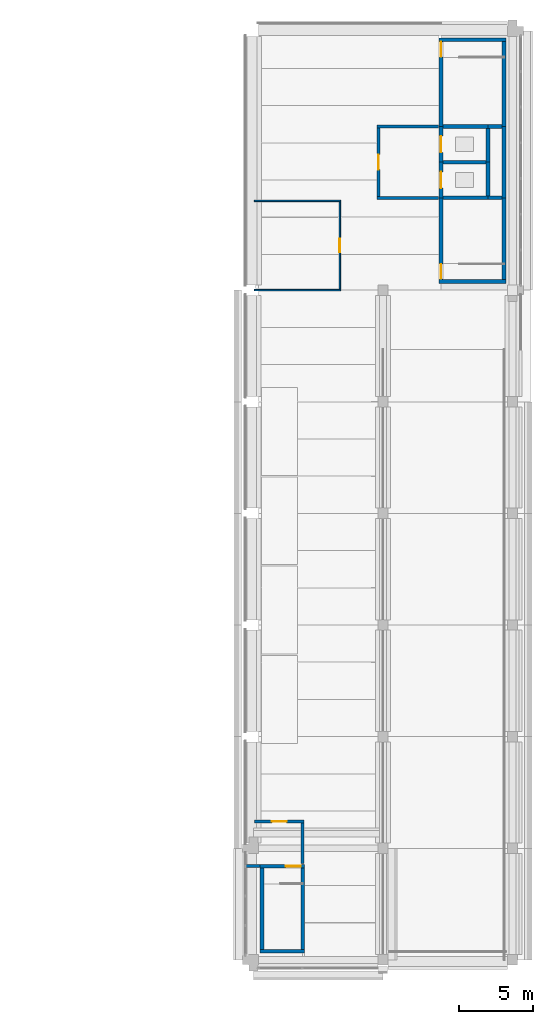
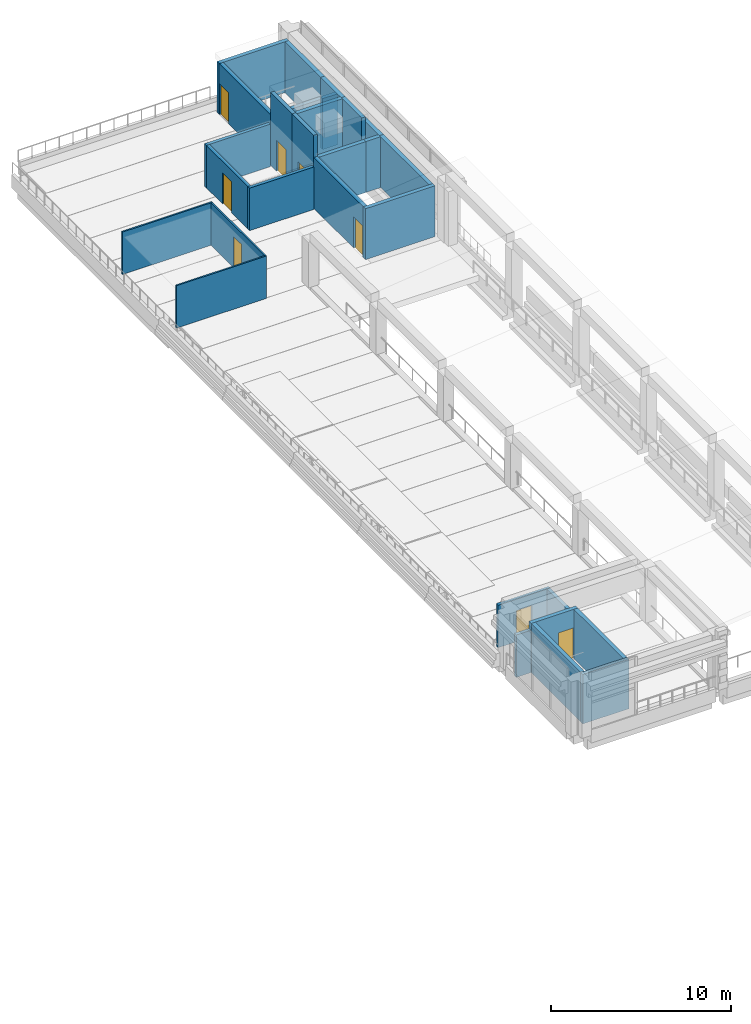
# One storey, part 10 of 17: 29 walls, 8 doors, 8 openings.
"""IFC4 building model written with IfcOpenShell, lengths in metres."""

from ifc_helpers import new_model, si_unit, direction, frame, frame_2d, origin, place, context, subcontext, project, spatial, rectangle, extrude, material, layer, layer_set, type_object, element, fill, save


model = new_model("IFC4")

# Units and contexts
model_context = context("Model", 3, precision=1e-05, world=origin(), true_north=direction((0.0, 1.0)))
body_context = subcontext(model_context, "Body", "Model", "MODEL_VIEW")
ifc_project = project(units=[si_unit("LENGTHUNIT", "METRE"), si_unit("AREAUNIT", "SQUARE_METRE"), si_unit("VOLUMEUNIT", "CUBIC_METRE"), si_unit("PLANEANGLEUNIT", "RADIAN"), si_unit("MASSUNIT", "GRAM", prefix="KILO")], contexts=[model_context])

# Site, building, storey
site_placement = place(None, origin())
site = spatial("IfcSite", under=ifc_project, at=site_placement, CompositionType="ELEMENT")
building_placement = place(site_placement, origin())
building = spatial("IfcBuilding", under=site, at=building_placement, Name="Cour d'Honneur Mobility Palace", CompositionType="ELEMENT")
storey_placement = place(building_placement, frame((0.0, 0.0, 34.10009765625)))
storey = spatial("IfcBuildingStorey", under=building, at=storey_placement, Name="L09", CompositionType="ELEMENT", Elevation=34.10009765625)

# Wall
ifc_material_1 = material(Name="Concrete C50", Category="concrete")
ifc_layer_1 = layer(ifc_material_1, 0.25)
ifc_layer_set_1 = layer_set([ifc_layer_1], Name="Concrete C50")
wall_type_1 = type_object("IfcWallType", Name="Lift shaft wall 250", PredefinedType="SHEAR", material=ifc_layer_set_1)
wall_1_placement = place(storey_placement, frame((157.625, 53.60009765625, 0.0), z_axis=(0.0, 0.0, 1.0), x_axis=(1.0, 0.0, 0.0)))
element("IfcWall", 1, at=wall_1_placement, inside=storey, type_object=wall_type_1, Name="Lift shaft wall WL-CE4 L09", PredefinedType="SHEAR", context=body_context, shape_type="SweptSolid", body=[
    extrude(rectangle(XDim=2.89990234375, YDim=0.25, at=frame_2d((1.449951171875, 0.0))), origin(), (0.0, 0.0, 1.0), 4.949951171875),
])

# Wall, opening, door
wall_2_placement = place(storey_placement, frame((157.5, 51.199951171875, 0.0), z_axis=(0.0, 0.0, 1.0), x_axis=(0.0, 1.0, 0.0)))
wall_2 = element("IfcWall", 2, at=wall_2_placement, inside=storey, type_object=wall_type_1, Name="Lift shaft wall WL-CE9 L09", PredefinedType="SHEAR", context=body_context, shape_type="SweptSolid", body=[
    extrude(rectangle(XDim=2.400146484375, YDim=0.25, at=frame_2d((1.2001953125, 0.0))), origin(), (0.0, 0.0, 1.0), 4.949951171875),
])
opening_1_placement = place(wall_2_placement, frame((0.64990234375, 0.0, 0.0)))
opening_1 = element("IfcOpeningElement", 3, at=opening_1_placement, cuts=wall_2, Name="Opening LD30", PredefinedType="OPENING", context=body_context, shape_type="SweptSolid", body=[
    extrude(rectangle(XDim=1.10009765625, YDim=2.10009765625, at=frame_2d((0.550048828125, 1.050048828125))), frame((0.0, 0.135009765625, 0.0), z_axis=(0.0, -1.0, 0.0), x_axis=(1.0, 0.0, 0.0)), (0.0, 0.0, 1.0), 0.27001953125),
])
ifc_material_2 = material(Name="Stainless steel", Category="steel")
door_type_1 = type_object("IfcDoorType", Name="Landing door 1100 x 2100", OperationType="SLIDING_TO_LEFT", PredefinedType="DOOR", material=ifc_material_2)
door_1_placement = place(opening_1_placement, origin())
door_1 = element("IfcDoor", 4, at=door_1_placement, inside=storey, type_object=door_type_1, Name="Landing door LF-CE1 L09", OperationType="SLIDING_TO_LEFT", OverallHeight=2.10009765625, OverallWidth=1.10009765625, PredefinedType="DOOR", context=body_context, shape_type="SweptSolid", body=[
    extrude(rectangle(XDim=1.10009765625, YDim=2.10009765625, at=frame_2d((0.550048828125, 1.050048828125))), frame((0.0, 0.02490234375, 0.0), z_axis=(0.0, -1.0, 0.0), x_axis=(1.0, 0.0, 0.0)), (0.0, 0.0, 1.0), 0.050048828125),
])
fill(opening_1, door_1)

wall_3_placement = place(storey_placement, frame((157.5, 53.60009765625, 0.0), z_axis=(0.0, 0.0, 1.0), x_axis=(0.0, 1.0, 0.0)))
wall_3 = element("IfcWall", 5, at=wall_3_placement, inside=storey, type_object=wall_type_1, Name="Lift shaft wall WL-CE10 L09", PredefinedType="SHEAR", context=body_context, shape_type="SweptSolid", body=[
    extrude(rectangle(XDim=2.39990234375, YDim=0.25, at=frame_2d((1.199951171875, 0.0))), origin(), (0.0, 0.0, 1.0), 4.949951171875),
])
opening_2_placement = place(wall_3_placement, frame((0.64990234375, 0.0, 0.0)))
opening_2 = element("IfcOpeningElement", 6, at=opening_2_placement, cuts=wall_3, Name="Opening LD40", PredefinedType="OPENING", context=body_context, shape_type="SweptSolid", body=[
    extrude(rectangle(XDim=1.10009765625, YDim=2.10009765625, at=frame_2d((0.550048828125, 1.050048828125))), frame((0.0, 0.135009765625, 0.0), z_axis=(0.0, -1.0, 0.0), x_axis=(1.0, 0.0, 0.0)), (0.0, 0.0, 1.0), 0.27001953125),
])
door_2_placement = place(opening_2_placement, origin())
door_2 = element("IfcDoor", 7, at=door_2_placement, inside=storey, type_object=door_type_1, Name="Landing door LF-CE2 L09", OperationType="SLIDING_TO_LEFT", OverallHeight=2.10009765625, OverallWidth=1.10009765625, PredefinedType="DOOR", context=body_context, shape_type="SweptSolid", body=[
    extrude(rectangle(XDim=1.10009765625, YDim=2.10009765625, at=frame_2d((0.550048828125, 1.050048828125))), frame((0.0, 0.02490234375, 0.0), z_axis=(0.0, -1.0, 0.0), x_axis=(1.0, 0.0, 0.0)), (0.0, 0.0, 1.0), 0.050048828125),
])
fill(opening_2, door_2)

# Walls
wall_4_placement = place(storey_placement, frame((160.64990234375, 51.324951171875, 0.0), z_axis=(0.0, 0.0, 1.0), x_axis=(0.0, 1.0, 0.0)))
element("IfcWall", 8, at=wall_4_placement, inside=storey, type_object=wall_type_1, Name="Lift shaft wall WL-CE12 L09", PredefinedType="SHEAR", context=body_context, shape_type="SweptSolid", body=[
    extrude(rectangle(XDim=2.275146484375, YDim=0.25, at=frame_2d((1.1376953125, 0.0))), origin(), (0.0, 0.0, 1.0), 4.949951171875),
])
wall_5_placement = place(storey_placement, frame((160.64990234375, 53.60009765625, 0.0), z_axis=(0.0, 0.0, 1.0), x_axis=(0.0, 1.0, 0.0)))
element("IfcWall", 9, at=wall_5_placement, inside=storey, type_object=wall_type_1, Name="Lift shaft wall WL-CE13 L09", PredefinedType="SHEAR", context=body_context, shape_type="SweptSolid", body=[
    extrude(rectangle(XDim=2.27490234375, YDim=0.25, at=frame_2d((1.137451171875, 0.0))), origin(), (0.0, 0.0, 1.0), 4.949951171875),
])
ifc_material_3 = material(Name="Gypsum plasterboard")
ifc_layer_2 = layer(ifc_material_3, 0.10009765625)
ifc_layer_set_2 = layer_set([ifc_layer_2], Name="Gypsum plasterboard")
wall_type_2 = type_object("IfcWallType", Name="Partition 100", PredefinedType="PARTITIONING", material=ifc_layer_set_2)
wall_6_placement = place(storey_placement, frame((144.9599609375, 45.0, 0.0), z_axis=(0.0, 0.0, 1.0), x_axis=(1.0, 0.0, 0.0)))
element("IfcWall", 10, at=wall_6_placement, inside=storey, type_object=wall_type_2, Name="Partition 008", PredefinedType="PARTITIONING", context=body_context, shape_type="SweptSolid", body=[
    extrude(rectangle(XDim=5.7900390625, YDim=0.10009765625, at=frame_2d((2.89501953125, 0.0))), origin(), (0.0, 0.0, 1.0), 2.8798828125),
])

# Wall, opening, door
wall_7_placement = place(storey_placement, frame((150.699951171875, 45.050048828125, 0.0), z_axis=(0.0, 0.0, 1.0), x_axis=(0.0, 1.0, 0.0)))
wall_7 = element("IfcWall", 11, at=wall_7_placement, inside=storey, type_object=wall_type_2, Name="Partition 009", PredefinedType="PARTITIONING", context=body_context, shape_type="SweptSolid", body=[
    extrude(rectangle(XDim=5.89990234375, YDim=0.10009765625, at=frame_2d((2.949951171875, 0.0))), origin(), (0.0, 0.0, 1.0), 2.8798828125),
])
opening_3_placement = place(wall_7_placement, frame((2.5, 0.0, 0.0)))
opening_3 = element("IfcOpeningElement", 12, at=opening_3_placement, cuts=wall_7, Name="Opening D0905", PredefinedType="OPENING", context=body_context, shape_type="SweptSolid", body=[
    extrude(rectangle(XDim=0.89990234375, YDim=2.10009765625, at=frame_2d((0.449951171875, 1.050048828125))), frame((0.0, 0.06005859375, 0.0), z_axis=(0.0, -1.0, 0.0), x_axis=(1.0, 0.0, 0.0)), (0.0, 0.0, 1.0), 0.1201171875),
])
ifc_material_4 = material(Name="Solid timber", Category="wood")
door_type_2 = type_object("IfcDoorType", Name="Single door 900 x 2100", OperationType="SINGLE_SWING_LEFT", PredefinedType="DOOR", material=ifc_material_4)
door_3_placement = place(opening_3_placement, frame((0.89990234375, 0.0, 0.0), z_axis=(0.0, 0.0, 1.0), x_axis=(-1.0, 0.0, 0.0)))
door_3 = element("IfcDoor", 13, at=door_3_placement, inside=storey, type_object=door_type_2, Name="Door Attendant Room", OperationType="SINGLE_SWING_LEFT", OverallHeight=2.10009765625, OverallWidth=0.89990234375, PredefinedType="DOOR", context=body_context, shape_type="SweptSolid", body=[
    extrude(rectangle(XDim=0.89990234375, YDim=2.10009765625, at=frame_2d((0.449951171875, 1.050048828125))), frame((0.0, 0.02490234375, 0.0), z_axis=(0.0, -1.0, 0.0), x_axis=(1.0, 0.0, 0.0)), (0.0, 0.0, 1.0), 0.050048828125),
])
fill(opening_3, door_3)

# Walls
wall_8_placement = place(storey_placement, frame((150.75, 51.0, 0.0), z_axis=(0.0, 0.0, 1.0), x_axis=(-1.0, 0.0, 0.0)))
element("IfcWall", 14, at=wall_8_placement, inside=storey, type_object=wall_type_2, Name="Partition 012", PredefinedType="PARTITIONING", context=body_context, shape_type="SweptSolid", body=[
    extrude(rectangle(XDim=5.7900390625, YDim=0.10009765625, at=frame_2d((2.89501953125, 0.0))), origin(), (0.0, 0.0, 1.0), 2.8798828125),
])
ifc_material_5 = material(Name="Gypsum plasterboard")
ifc_layer_3 = layer(ifc_material_5, 0.199951171875)
ifc_layer_set_3 = layer_set([ifc_layer_3], Name="Gypsum plasterboard")
wall_type_3 = type_object("IfcWallType", Name="Partition 200 rated EI 120", PredefinedType="PARTITIONING", material=ifc_layer_set_3)
wall_9_placement = place(storey_placement, frame((144.39990234375, 6.300048828125, 0.0), z_axis=(0.0, 0.0, 1.0), x_axis=(1.0, 0.0, 0.0)))
element("IfcWall", 15, at=wall_9_placement, inside=storey, type_object=wall_type_3, Name="Partition 002", PredefinedType="PARTITIONING", context=body_context, shape_type="SweptSolid", body=[
    extrude(rectangle(XDim=0.9501953125, YDim=0.199951171875, at=frame_2d((0.47509765625, 0.0))), origin(), (0.0, 0.0, 1.0), 2.8798828125),
])
wall_10_placement = place(storey_placement, frame((148.199951171875, 6.47509765625, 0.0), z_axis=(0.0, 0.0, 1.0), x_axis=(0.0, 1.0, 0.0)))
element("IfcWall", 16, at=wall_10_placement, inside=storey, type_object=wall_type_3, Name="Partition 003", PredefinedType="PARTITIONING", context=body_context, shape_type="SweptSolid", body=[
    extrude(rectangle(XDim=2.724853515625, YDim=0.199951171875, at=frame_2d((1.3623046875, 0.0))), origin(), (0.0, 0.0, 1.0), 2.8798828125),
])

# Wall, opening, door
wall_11_placement = place(storey_placement, frame((148.300048828125, 9.300048828125, 0.0), z_axis=(0.0, 0.0, 1.0), x_axis=(-1.0, 0.0, 0.0)))
wall_11 = element("IfcWall", 17, at=wall_11_placement, inside=storey, type_object=wall_type_3, Name="Partition 006", PredefinedType="PARTITIONING", context=body_context, shape_type="SweptSolid", body=[
    extrude(rectangle(XDim=3.340087890625, YDim=0.199951171875, at=frame_2d((1.669921875, 0.0))), origin(), (0.0, 0.0, 1.0), 2.8798828125),
])
opening_4_placement = place(wall_11_placement, frame((1.169921875, 0.0, 0.0)))
opening_4 = element("IfcOpeningElement", 18, at=opening_4_placement, cuts=wall_11, Name="Opening D0903", PredefinedType="OPENING", context=body_context, shape_type="SweptSolid", body=[
    extrude(rectangle(XDim=1.0, YDim=2.10009765625, at=frame_2d((0.5, 1.050048828125))), frame((0.0, 0.10986328125, 0.0), z_axis=(0.0, -1.0, 0.0), x_axis=(1.0, 0.0, 0.0)), (0.0, 0.0, 1.0), 0.219970703125),
])
ifc_material_6 = material(Name="Galvanised steel", Category="steel")
door_type_3 = type_object("IfcDoorType", Name="Fire door FD120 1000 x 2100", OperationType="SINGLE_SWING_LEFT", PredefinedType="DOOR", material=ifc_material_6)
door_4_placement = place(opening_4_placement, origin())
door_4 = element("IfcDoor", 19, at=door_4_placement, inside=storey, type_object=door_type_3, Name="Door Stair Lobby RE", OperationType="SINGLE_SWING_RIGHT", OverallHeight=2.10009765625, OverallWidth=1.0, PredefinedType="DOOR", context=body_context, shape_type="SweptSolid", body=[
    extrude(rectangle(XDim=1.0, YDim=2.10009765625, at=frame_2d((0.5, 1.050048828125))), frame((0.0, 0.02490234375, 0.0), z_axis=(0.0, -1.0, 0.0), x_axis=(1.0, 0.0, 0.0)), (0.0, 0.0, 1.0), 0.050048828125),
])
fill(opening_4, door_4)

# Wall
wall_12_placement = place(storey_placement, frame((153.199951171875, 51.199951171875, 0.0), z_axis=(0.0, 0.0, 1.0), x_axis=(1.0, 0.0, 0.0)))
element("IfcWall", 20, at=wall_12_placement, inside=storey, type_object=wall_type_3, Name="Partition 015", PredefinedType="PARTITIONING", context=body_context, shape_type="SweptSolid", body=[
    extrude(rectangle(XDim=4.125, YDim=0.199951171875, at=frame_2d((2.0625, 0.0))), origin(), (0.0, 0.0, 1.0), 2.8798828125),
])

# Wall, opening, door
wall_13_placement = place(storey_placement, frame((153.300048828125, 55.89990234375, 0.0), z_axis=(0.0, 0.0, 1.0), x_axis=(0.0, -1.0, 0.0)))
wall_13 = element("IfcWall", 21, at=wall_13_placement, inside=storey, type_object=wall_type_3, Name="Partition 017", PredefinedType="PARTITIONING", context=body_context, shape_type="SweptSolid", body=[
    extrude(rectangle(XDim=4.599853515625, YDim=0.199951171875, at=frame_2d((2.2998046875, 0.0))), origin(), (0.0, 0.0, 1.0), 2.8798828125),
])
opening_5_placement = place(wall_13_placement, frame((1.800048828125, 0.0, 0.0)))
opening_5 = element("IfcOpeningElement", 22, at=opening_5_placement, cuts=wall_13, Name="Opening D0906", PredefinedType="OPENING", context=body_context, shape_type="SweptSolid", body=[
    extrude(rectangle(XDim=1.0, YDim=2.10009765625, at=frame_2d((0.5, 1.050048828125))), frame((0.0, 0.10986328125, 0.0), z_axis=(0.0, -1.0, 0.0), x_axis=(1.0, 0.0, 0.0)), (0.0, 0.0, 1.0), 0.219970703125),
])
door_5_placement = place(opening_5_placement, frame((1.0, 0.0, 0.0), z_axis=(0.0, 0.0, 1.0), x_axis=(-1.0, 0.0, 0.0)))
door_5 = element("IfcDoor", 23, at=door_5_placement, inside=storey, type_object=door_type_3, Name="Door Firefighting Lobby CE", OperationType="SINGLE_SWING_RIGHT", OverallHeight=2.10009765625, OverallWidth=1.0, PredefinedType="DOOR", context=body_context, shape_type="SweptSolid", body=[
    extrude(rectangle(XDim=1.0, YDim=2.10009765625, at=frame_2d((0.5, 1.050048828125))), frame((0.0, 0.02490234375, 0.0), z_axis=(0.0, -1.0, 0.0), x_axis=(1.0, 0.0, 0.0)), (0.0, 0.0, 1.0), 0.050048828125),
])
fill(opening_5, door_5)

# Walls
wall_14_placement = place(storey_placement, frame((157.324951171875, 56.0, 0.0), z_axis=(0.0, 0.0, 1.0), x_axis=(-1.0, 0.0, 0.0)))
element("IfcWall", 24, at=wall_14_placement, inside=storey, type_object=wall_type_3, Name="Partition 018", PredefinedType="PARTITIONING", context=body_context, shape_type="SweptSolid", body=[
    extrude(rectangle(XDim=4.125, YDim=0.199951171875, at=frame_2d((2.0625, 0.0))), origin(), (0.0, 0.0, 1.0), 2.8798828125),
])
ifc_material_7 = material(Name="Concrete C50", Category="concrete")
ifc_layer_4 = layer(ifc_material_7, 0.25)
ifc_layer_set_4 = layer_set([ifc_layer_4], Name="Concrete C50")
wall_type_4 = type_object("IfcWallType", Name="Shaft wall 250", PredefinedType="SHEAR", material=ifc_layer_set_4)
wall_15_placement = place(storey_placement, frame((161.72509765625, 51.199951171875, 0.0), z_axis=(0.0, 0.0, 1.0), x_axis=(0.0, 1.0, 0.0)))
element("IfcWall", 25, at=wall_15_placement, inside=storey, type_object=wall_type_4, Name="Shaft wall WR-CE15 L09", PredefinedType="SHEAR", context=body_context, shape_type="SweptSolid", body=[
    extrude(rectangle(XDim=4.800048828125, YDim=0.25, at=frame_2d((2.39990234375, 0.0))), origin(), (0.0, 0.0, 1.0), 3.449951171875),
])
ifc_material_8 = material(Name="Concrete C50", Category="concrete")
ifc_layer_5 = layer(ifc_material_8, 0.25)
ifc_layer_set_5 = layer_set([ifc_layer_5], Name="Concrete C50")
wall_type_5 = type_object("IfcWallType", Name="Stair wall 250", PredefinedType="SHEAR", material=ifc_layer_set_5)
wall_16_placement = place(storey_placement, frame((157.375, 45.574951171875, 0.0), z_axis=(0.0, 0.0, 1.0), x_axis=(1.0, 0.0, 0.0)))
element("IfcWall", 26, at=wall_16_placement, inside=storey, type_object=wall_type_5, Name="Stair wall WS-CE1 L09", PredefinedType="SHEAR", context=body_context, shape_type="SweptSolid", body=[
    extrude(rectangle(XDim=4.47509765625, YDim=0.25, at=frame_2d((2.237548828125, 0.0))), origin(), (0.0, 0.0, 1.0), 3.449951171875),
])
wall_17_placement = place(storey_placement, frame((157.625, 51.199951171875, 0.0), z_axis=(0.0, 0.0, 1.0), x_axis=(1.0, 0.0, 0.0)))
element("IfcWall", 27, at=wall_17_placement, inside=storey, type_object=wall_type_5, Name="Stair wall WS-CE2 L09", PredefinedType="SHEAR", context=body_context, shape_type="SweptSolid", body=[
    extrude(rectangle(XDim=3.02490234375, YDim=0.25, at=frame_2d((1.512451171875, 0.0))), origin(), (0.0, 0.0, 1.0), 3.449951171875),
])
wall_18_placement = place(storey_placement, frame((160.64990234375, 51.199951171875, 0.0), z_axis=(0.0, 0.0, 1.0), x_axis=(1.0, 0.0, 0.0)))
element("IfcWall", 28, at=wall_18_placement, inside=storey, type_object=wall_type_5, Name="Stair wall WS-CE3 L09", PredefinedType="SHEAR", context=body_context, shape_type="SweptSolid", body=[
    extrude(rectangle(XDim=0.9501953125, YDim=0.25, at=frame_2d((0.47509765625, 0.0))), origin(), (0.0, 0.0, 1.0), 3.449951171875),
])
wall_19_placement = place(storey_placement, frame((157.625, 56.0, 0.0), z_axis=(0.0, 0.0, 1.0), x_axis=(1.0, 0.0, 0.0)))
element("IfcWall", 29, at=wall_19_placement, inside=storey, type_object=wall_type_5, Name="Stair wall WS-CE5 L09", PredefinedType="SHEAR", context=body_context, shape_type="SweptSolid", body=[
    extrude(rectangle(XDim=3.02490234375, YDim=0.25, at=frame_2d((1.512451171875, 0.0))), origin(), (0.0, 0.0, 1.0), 3.449951171875),
])
wall_20_placement = place(storey_placement, frame((160.64990234375, 56.0, 0.0), z_axis=(0.0, 0.0, 1.0), x_axis=(1.0, 0.0, 0.0)))
element("IfcWall", 30, at=wall_20_placement, inside=storey, type_object=wall_type_5, Name="Stair wall WS-CE6 L09", PredefinedType="SHEAR", context=body_context, shape_type="SweptSolid", body=[
    extrude(rectangle(XDim=0.9501953125, YDim=0.25, at=frame_2d((0.47509765625, 0.0))), origin(), (0.0, 0.0, 1.0), 3.449951171875),
])
wall_21_placement = place(storey_placement, frame((157.375, 61.824951171875, 0.0), z_axis=(0.0, 0.0, 1.0), x_axis=(1.0, 0.0, 0.0)))
element("IfcWall", 31, at=wall_21_placement, inside=storey, type_object=wall_type_5, Name="Stair wall WS-CE7 L09", PredefinedType="SHEAR", context=body_context, shape_type="SweptSolid", body=[
    extrude(rectangle(XDim=4.47509765625, YDim=0.25, at=frame_2d((2.237548828125, 0.0))), origin(), (0.0, 0.0, 1.0), 3.449951171875),
])

# Wall, opening, door
wall_22_placement = place(storey_placement, frame((157.5, 45.699951171875, 0.0), z_axis=(0.0, 0.0, 1.0), x_axis=(0.0, 1.0, 0.0)))
wall_22 = element("IfcWall", 32, at=wall_22_placement, inside=storey, type_object=wall_type_5, Name="Stair wall WS-CE8 L09", PredefinedType="SHEAR", context=body_context, shape_type="SweptSolid", body=[
    extrude(rectangle(XDim=5.5, YDim=0.25, at=frame_2d((2.75, 0.0))), origin(), (0.0, 0.0, 1.0), 3.449951171875),
])
opening_6_placement = place(wall_22_placement, frame((0.050048828125, 0.0, 0.0)))
opening_6 = element("IfcOpeningElement", 33, at=opening_6_placement, cuts=wall_22, Name="Opening S148", PredefinedType="OPENING", context=body_context, shape_type="SweptSolid", body=[
    extrude(rectangle(XDim=1.0, YDim=2.10009765625, at=frame_2d((0.5, 1.050048828125))), frame((0.0, 0.135009765625, 0.0), z_axis=(0.0, -1.0, 0.0), x_axis=(1.0, 0.0, 0.0)), (0.0, 0.0, 1.0), 0.27001953125),
])
ifc_material_9 = material(Name="Galvanised steel", Category="steel")
door_type_4 = type_object("IfcDoorType", Name="Fire door FD120 stair 1000 x 2100", OperationType="SINGLE_SWING_LEFT", PredefinedType="DOOR", material=ifc_material_9)
door_6_placement = place(opening_6_placement, origin())
door_6 = element("IfcDoor", 34, at=door_6_placement, inside=storey, type_object=door_type_4, Name="Stair door ST-CE1 L09", OperationType="SINGLE_SWING_LEFT", OverallHeight=2.10009765625, OverallWidth=1.0, PredefinedType="DOOR", context=body_context, shape_type="SweptSolid", body=[
    extrude(rectangle(XDim=1.0, YDim=2.10009765625, at=frame_2d((0.5, 1.050048828125))), frame((0.0, 0.02490234375, 0.0), z_axis=(0.0, -1.0, 0.0), x_axis=(1.0, 0.0, 0.0)), (0.0, 0.0, 1.0), 0.050048828125),
])
fill(opening_6, door_6)

wall_23_placement = place(storey_placement, frame((157.5, 56.0, 0.0), z_axis=(0.0, 0.0, 1.0), x_axis=(0.0, 1.0, 0.0)))
wall_23 = element("IfcWall", 35, at=wall_23_placement, inside=storey, type_object=wall_type_5, Name="Stair wall WS-CE11 L09", PredefinedType="SHEAR", context=body_context, shape_type="SweptSolid", body=[
    extrude(rectangle(XDim=5.699951171875, YDim=0.25, at=frame_2d((2.85009765625, 0.0))), origin(), (0.0, 0.0, 1.0), 3.449951171875),
])
opening_7_placement = place(wall_23_placement, frame((4.675048828125, 0.0, 0.0)))
opening_7 = element("IfcOpeningElement", 36, at=opening_7_placement, cuts=wall_23, Name="Opening S84", PredefinedType="OPENING", context=body_context, shape_type="SweptSolid", body=[
    extrude(rectangle(XDim=1.0, YDim=2.10009765625, at=frame_2d((0.5, 1.050048828125))), frame((0.0, 0.135009765625, 0.0), z_axis=(0.0, -1.0, 0.0), x_axis=(1.0, 0.0, 0.0)), (0.0, 0.0, 1.0), 0.27001953125),
])
door_7_placement = place(opening_7_placement, origin())
door_7 = element("IfcDoor", 37, at=door_7_placement, inside=storey, type_object=door_type_4, Name="Stair door ST-CE2 L09", OperationType="SINGLE_SWING_RIGHT", OverallHeight=2.10009765625, OverallWidth=1.0, PredefinedType="DOOR", context=body_context, shape_type="SweptSolid", body=[
    extrude(rectangle(XDim=1.0, YDim=2.10009765625, at=frame_2d((0.5, 1.050048828125))), frame((0.0, 0.02490234375, 0.0), z_axis=(0.0, -1.0, 0.0), x_axis=(1.0, 0.0, 0.0)), (0.0, 0.0, 1.0), 0.050048828125),
])
fill(opening_7, door_7)

# Walls
wall_24_placement = place(storey_placement, frame((161.72509765625, 45.699951171875, 0.0), z_axis=(0.0, 0.0, 1.0), x_axis=(0.0, 1.0, 0.0)))
element("IfcWall", 38, at=wall_24_placement, inside=storey, type_object=wall_type_5, Name="Stair wall WS-CE14 L09", PredefinedType="SHEAR", context=body_context, shape_type="SweptSolid", body=[
    extrude(rectangle(XDim=5.5, YDim=0.25, at=frame_2d((2.75, 0.0))), origin(), (0.0, 0.0, 1.0), 3.449951171875),
])
wall_25_placement = place(storey_placement, frame((161.72509765625, 56.0, 0.0), z_axis=(0.0, 0.0, 1.0), x_axis=(0.0, 1.0, 0.0)))
element("IfcWall", 39, at=wall_25_placement, inside=storey, type_object=wall_type_5, Name="Stair wall WS-CE16 L09", PredefinedType="SHEAR", context=body_context, shape_type="SweptSolid", body=[
    extrude(rectangle(XDim=5.699951171875, YDim=0.25, at=frame_2d((2.85009765625, 0.0))), origin(), (0.0, 0.0, 1.0), 3.449951171875),
])
wall_26_placement = place(storey_placement, frame((145.35009765625, 0.574951171875, 0.0), z_axis=(0.0, 0.0, 1.0), x_axis=(1.0, 0.0, 0.0)))
element("IfcWall", 40, at=wall_26_placement, inside=storey, type_object=wall_type_5, Name="Stair wall WS-RE1 L09", PredefinedType="SHEAR", context=body_context, shape_type="SweptSolid", body=[
    extrude(rectangle(XDim=2.974853515625, YDim=0.25, at=frame_2d((1.4873046875, 0.0))), origin(), (0.0, 0.0, 1.0), 3.349853515625),
])

# Wall, opening, door
wall_27_placement = place(storey_placement, frame((145.35009765625, 6.300048828125, 0.0), z_axis=(0.0, 0.0, 1.0), x_axis=(1.0, 0.0, 0.0)))
wall_27 = element("IfcWall", 41, at=wall_27_placement, inside=storey, type_object=wall_type_5, Name="Stair wall WS-RE2 L09", PredefinedType="SHEAR", context=body_context, shape_type="SweptSolid", body=[
    extrude(rectangle(XDim=2.974853515625, YDim=0.25, at=frame_2d((1.4873046875, 0.0))), origin(), (0.0, 0.0, 1.0), 3.349853515625),
])
opening_8_placement = place(wall_27_placement, frame((1.72509765625, 0.0, 0.0)))
opening_8 = element("IfcOpeningElement", 42, at=opening_8_placement, cuts=wall_27, Name="Opening S128", PredefinedType="OPENING", context=body_context, shape_type="SweptSolid", body=[
    extrude(rectangle(XDim=1.0, YDim=2.10009765625, at=frame_2d((0.5, 1.050048828125))), frame((0.0, 0.135009765625, 0.0), z_axis=(0.0, -1.0, 0.0), x_axis=(1.0, 0.0, 0.0)), (0.0, 0.0, 1.0), 0.27001953125),
])
door_8_placement = place(opening_8_placement, origin())
door_8 = element("IfcDoor", 43, at=door_8_placement, inside=storey, type_object=door_type_4, Name="Stair door ST-RE1 L09", OperationType="SINGLE_SWING_RIGHT", OverallHeight=2.10009765625, OverallWidth=1.0, PredefinedType="DOOR", context=body_context, shape_type="SweptSolid", body=[
    extrude(rectangle(XDim=1.0, YDim=2.10009765625, at=frame_2d((0.5, 1.050048828125))), frame((0.0, 0.02490234375, 0.0), z_axis=(0.0, -1.0, 0.0), x_axis=(1.0, 0.0, 0.0)), (0.0, 0.0, 1.0), 0.050048828125),
])
fill(opening_8, door_8)

# Walls
for number, where, z_axis, x_axis, name in (
    (44, (145.47509765625, 0.699951171875, 0.0), (0.0, 0.0, 1.0), (0.0, 1.0, 0.0), "Stair wall WS-RE3 L09"),
    (45, (148.199951171875, 0.699951171875, 0.0), (0.0, 0.0, 1.0), (0.0, 1.0, 0.0), "Stair wall WS-RE4 L09"),
):
    element("IfcWall", number, at=place(storey_placement, frame(where, z_axis=z_axis, x_axis=x_axis)), inside=storey, type_object=wall_type_5, Name=name, PredefinedType="SHEAR", context=body_context, shape_type="SweptSolid", body=[
        extrude(rectangle(XDim=5.47509765625, YDim=0.25, at=frame_2d((2.737548828125, 0.0))), origin(), (0.0, 0.0, 1.0), 3.349853515625),
    ])

save(model, "model.ifc")
